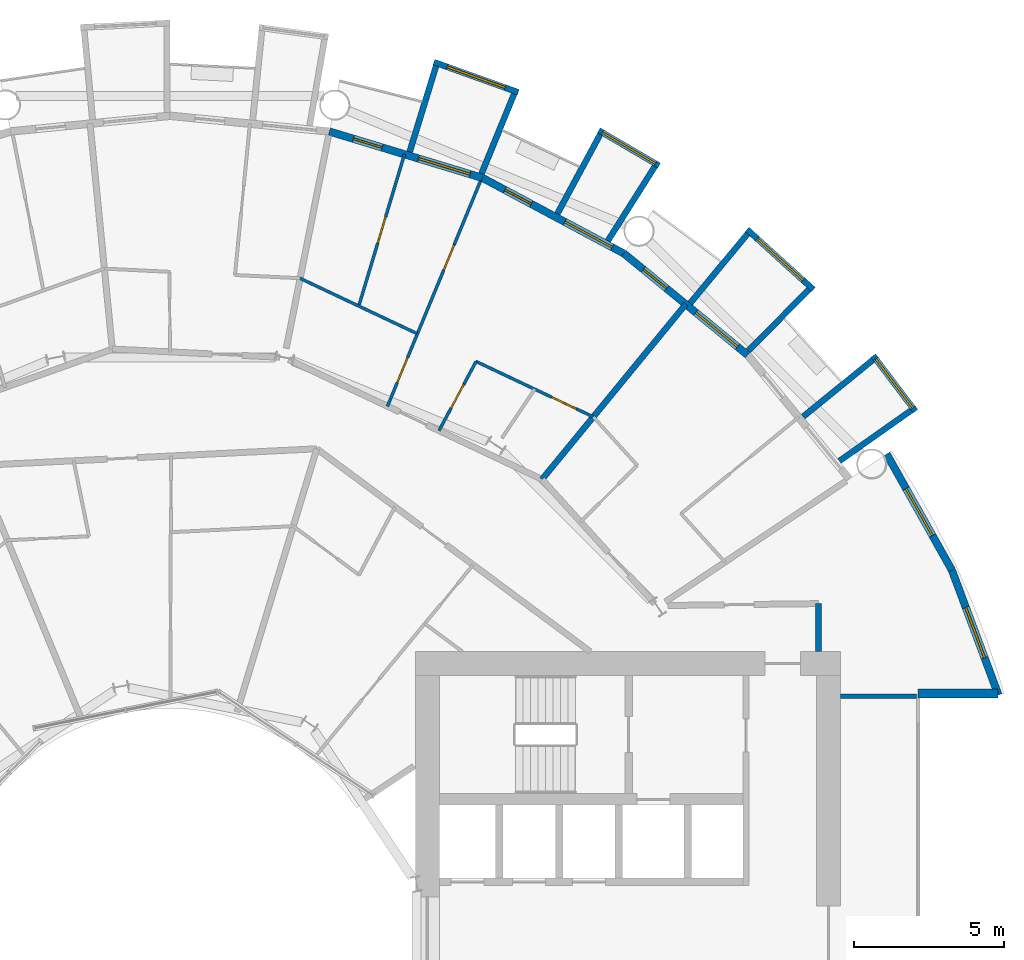
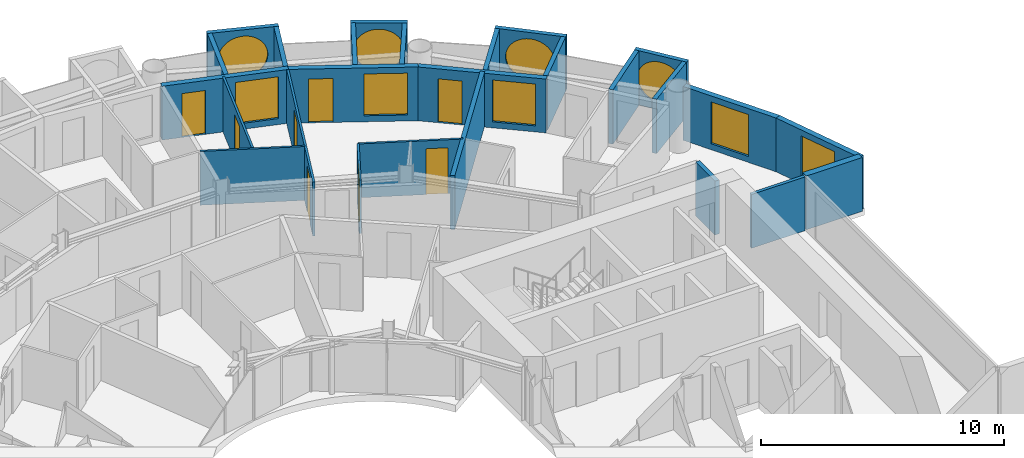
# One storey, part 22 of 26: 26 walls, 9 windows, 8 doors, 17 openings.
"""IFC4 building model written with IfcOpenShell, lengths in metres."""

from ifc_helpers import new_model, si_unit, direction, frame, frame_2d, origin, place, context, subcontext, project, spatial, rectangle, circle, extrude, material, layer, layer_set, type_object, element, fill, save


model = new_model("IFC4")

# Units and contexts
model_context = context("Model", 3, precision=1e-05, world=origin(), true_north=direction((0.0, 1.0)))
body_context = subcontext(model_context, "Body", "Model", "MODEL_VIEW")
ifc_project = project(units=[si_unit("LENGTHUNIT", "METRE"), si_unit("AREAUNIT", "SQUARE_METRE"), si_unit("VOLUMEUNIT", "CUBIC_METRE"), si_unit("PLANEANGLEUNIT", "RADIAN"), si_unit("MASSUNIT", "GRAM", prefix="KILO")], contexts=[model_context])

# Site, building, storey
site_placement = place(None, origin())
site = spatial("IfcSite", under=ifc_project, at=site_placement, CompositionType="ELEMENT")
building_placement = place(site_placement, origin())
building = spatial("IfcBuilding", under=site, at=building_placement, Name="Maasbend Ring Residences", CompositionType="ELEMENT")
storey_placement = place(building_placement, frame((0.0, 0.0, 44.14990234375)))
storey = spatial("IfcBuildingStorey", under=building, at=storey_placement, Name="L12", CompositionType="ELEMENT", Elevation=44.14990234375)

# Wall
ifc_material_1 = material(Name="Concrete C30/37", Category="concrete")
ifc_layer_1 = layer(ifc_material_1, 0.199951171875)
ifc_layer_set_1 = layer_set([ifc_layer_1], Name="Concrete C30/37")
wall_type_1 = type_object("IfcWallType", Name="CORRIDOR WALL 200 CONCRETE", PredefinedType="PARTITIONING", material=ifc_layer_set_1)
wall_1_placement = place(storey_placement, frame((21.675048828125, 9.39990234375, 0.0), z_axis=(0.0, 0.0, 1.0), x_axis=(0.0, 1.0, 0.0)))
element("IfcWall", 1, at=wall_1_placement, inside=storey, type_object=wall_type_1, Name="U-L12-w008", PredefinedType="PARTITIONING", context=body_context, shape_type="SweptSolid", body=[
    extrude(rectangle(XDim=1.60009765625, YDim=0.199951171875, at=frame_2d((0.800048828125, 0.0))), origin(), (0.0, 0.0, 1.0), 2.7001953125),
])

# Wall, opening, window
ifc_material_2 = material(Name="Pale anodised aluminium panel", Category="aluminium")
ifc_layer_2 = layer(ifc_material_2, 0.199951171875)
ifc_layer_set_2 = layer_set([ifc_layer_2], Name="EW-BOX")
wall_type_2 = type_object("IfcWallType", Name="EW-BOX", PredefinedType="SOLIDWALL", material=ifc_layer_set_2)
wall_2_placement = place(storey_placement, frame((24.908935546875, 17.427001953125, -0.02978515625), z_axis=(0.0, 0.0, 1.0), x_axis=(-0.60418752353, 0.796842165306, 0.0)))
wall_2 = element("IfcWall", 2, at=wall_2_placement, inside=storey, type_object=wall_type_2, Name="Box front N01", PredefinedType="SOLIDWALL", context=body_context, shape_type="SweptSolid", body=[
    extrude(rectangle(XDim=2.3369140625, YDim=0.199951171875, at=frame_2d((1.16845703125, 0.0))), origin(), (0.0, 0.0, 1.0), 2.72998046875),
])
opening_1_placement = place(wall_2_placement, frame((0.128173828125, 0.0, 0.330078125)))
opening_1 = element("IfcOpeningElement", 3, at=opening_1_placement, cuts=wall_2, Name="Opening W-RD", PredefinedType="OPENING", context=body_context, shape_type="SweptSolid", body=[
    extrude(circle(Radius=1.0400390625, at=frame_2d((1.0400390625, 1.0400390625))), frame((0.0, 0.10986328125, 0.0), z_axis=(0.0, -1.0, 0.0), x_axis=(1.0, 0.0, 0.0)), (0.0, 0.0, 1.0), 0.219970703125),
])
ifc_material_3 = material(Name="Aluminium and clear glass", Category="aluminium")
window_type_1 = type_object("IfcWindowType", Name="W-RD", PartitioningType="SINGLE_PANEL", PredefinedType="WINDOW", material=ifc_material_3)
window_1_placement = place(opening_1_placement, origin())
window_1 = element("IfcWindow", 4, at=window_1_placement, inside=storey, type_object=window_type_1, Name="Round window N01", OverallHeight=2.080078125, OverallWidth=2.080078125, PartitioningType="SINGLE_PANEL", PredefinedType="WINDOW", context=body_context, shape_type="SweptSolid", body=[
    extrude(circle(Radius=1.0400390625, at=frame_2d((1.0400390625, 1.0400390625))), frame((0.0, 0.030029296875, 0.0), z_axis=(0.0, -1.0, 0.0), x_axis=(1.0, 0.0, 0.0)), (0.0, 0.0, 1.0), 0.06005859375),
])
fill(opening_1, window_1)

# Walls
wall_3_placement = place(storey_placement, frame((22.3701171875, 15.764892578125, -0.02978515625), z_axis=(0.0, 0.0, 1.0), x_axis=(0.817256123454, 0.576274612209, 0.0)))
element("IfcWall", 5, at=wall_3_placement, inside=storey, type_object=wall_type_2, Name="Box side wall N01 left", PredefinedType="SOLIDWALL", context=body_context, shape_type="SweptSolid", body=[
    extrude(rectangle(XDim=2.932861328125, YDim=0.199951171875, at=frame_2d((1.46630859375, 0.0))), origin(), (0.0, 0.0, 1.0), 2.72998046875),
])
wall_4_placement = place(storey_placement, frame((21.155029296875, 17.24609375, -0.02978515625), z_axis=(0.0, 0.0, 1.0), x_axis=(0.775179004516, 0.631741648902, 0.0)))
element("IfcWall", 6, at=wall_4_placement, inside=storey, type_object=wall_type_2, Name="Box side wall N01 right", PredefinedType="SOLIDWALL", context=body_context, shape_type="SweptSolid", body=[
    extrude(rectangle(XDim=3.005859375, YDim=0.199951171875, at=frame_2d((1.5029296875, 0.0))), origin(), (0.0, 0.0, 1.0), 2.72998046875),
])

# Wall, opening, window
wall_5_placement = place(storey_placement, frame((21.5, 21.492919921875, -0.02978515625), z_axis=(0.0, 0.0, 1.0), x_axis=(-0.740998365753, 0.671506829416, 0.0)))
wall_5 = element("IfcWall", 7, at=wall_5_placement, inside=storey, type_object=wall_type_2, Name="Box front N03", PredefinedType="SOLIDWALL", context=body_context, shape_type="SweptSolid", body=[
    extrude(rectangle(XDim=2.9931640625, YDim=0.199951171875, at=frame_2d((1.49658203125, 0.0))), origin(), (0.0, 0.0, 1.0), 2.72998046875),
])
opening_2_placement = place(wall_5_placement, frame((0.45654296875, 0.0, 0.330078125)))
opening_2 = element("IfcOpeningElement", 8, at=opening_2_placement, cuts=wall_5, Name="Opening W-RD", PredefinedType="OPENING", context=body_context, shape_type="SweptSolid", body=[
    extrude(circle(Radius=1.0400390625, at=frame_2d((1.0400390625, 1.0400390625))), frame((0.0, 0.10986328125, 0.0), z_axis=(0.0, -1.0, 0.0), x_axis=(1.0, 0.0, 0.0)), (0.0, 0.0, 1.0), 0.219970703125),
])
window_2_placement = place(opening_2_placement, origin())
window_2 = element("IfcWindow", 9, at=window_2_placement, inside=storey, type_object=window_type_1, Name="Round window N03", OverallHeight=2.080078125, OverallWidth=2.080078125, PartitioningType="SINGLE_PANEL", PredefinedType="WINDOW", context=body_context, shape_type="SweptSolid", body=[
    extrude(circle(Radius=1.0400390625, at=frame_2d((1.0400390625, 1.0400390625))), frame((0.0, 0.030029296875, 0.0), z_axis=(0.0, -1.0, 0.0), x_axis=(1.0, 0.0, 0.0)), (0.0, 0.0, 1.0), 0.06005859375),
])
fill(opening_2, window_2)

# Walls
wall_6_placement = place(storey_placement, frame((19.322998046875, 19.449951171875, -0.02978515625), z_axis=(0.0, 0.0, 1.0), x_axis=(0.704476739375, 0.709727076896, 0.0)))
element("IfcWall", 10, at=wall_6_placement, inside=storey, type_object=wall_type_2, Name="Box side wall N03 left", PredefinedType="SOLIDWALL", context=body_context, shape_type="SweptSolid", body=[
    extrude(rectangle(XDim=2.883056640625, YDim=0.199951171875, at=frame_2d((1.44140625, 0.0))), origin(), (0.0, 0.0, 1.0), 2.72998046875),
])
wall_7_placement = place(storey_placement, frame((17.384033203125, 21.041015625, -0.02978515625), z_axis=(0.0, 0.0, 1.0), x_axis=(0.63709551667, 0.770784861449, 0.0)))
element("IfcWall", 11, at=wall_7_placement, inside=storey, type_object=wall_type_2, Name="Box side wall N03 right", PredefinedType="SOLIDWALL", context=body_context, shape_type="SweptSolid", body=[
    extrude(rectangle(XDim=3.005859375, YDim=0.199951171875, at=frame_2d((1.5029296875, 0.0))), origin(), (0.0, 0.0, 1.0), 2.72998046875),
])

# Wall, opening, window
wall_8_placement = place(storey_placement, frame((16.343994140625, 25.633056640625, -0.02978515625), z_axis=(0.0, 0.0, 1.0), x_axis=(-0.863346521872, 0.504611517081, 0.0)))
wall_8 = element("IfcWall", 12, at=wall_8_placement, inside=storey, type_object=wall_type_2, Name="Box front N05", PredefinedType="SOLIDWALL", context=body_context, shape_type="SweptSolid", body=[
    extrude(rectangle(XDim=2.33642578125, YDim=0.199951171875, at=frame_2d((1.168212890625, 0.0))), origin(), (0.0, 0.0, 1.0), 2.72998046875),
])
opening_3_placement = place(wall_8_placement, frame((0.128173828125, 0.0, 0.330078125)))
opening_3 = element("IfcOpeningElement", 13, at=opening_3_placement, cuts=wall_8, Name="Opening W-RD", PredefinedType="OPENING", context=body_context, shape_type="SweptSolid", body=[
    extrude(circle(Radius=1.0400390625, at=frame_2d((1.0400390625, 1.0400390625))), frame((0.0, 0.10986328125, 0.0), z_axis=(0.0, -1.0, 0.0), x_axis=(1.0, 0.0, 0.0)), (0.0, 0.0, 1.0), 0.219970703125),
])
window_3_placement = place(opening_3_placement, origin())
window_3 = element("IfcWindow", 14, at=window_3_placement, inside=storey, type_object=window_type_1, Name="Round window N05", OverallHeight=2.080078125, OverallWidth=2.080078125, PartitioningType="SINGLE_PANEL", PredefinedType="WINDOW", context=body_context, shape_type="SweptSolid", body=[
    extrude(circle(Radius=1.0400390625, at=frame_2d((1.0400390625, 1.0400390625))), frame((0.0, 0.030029296875, 0.0), z_axis=(0.0, -1.0, 0.0), x_axis=(1.0, 0.0, 0.0)), (0.0, 0.0, 1.0), 0.06005859375),
])
fill(opening_3, window_3)

# Walls
wall_9_placement = place(storey_placement, frame((14.635009765625, 23.1259765625, -0.02978515625), z_axis=(0.0, 0.0, 1.0), x_axis=(0.534437802731, 0.845207805816, 0.0)))
element("IfcWall", 15, at=wall_9_placement, inside=storey, type_object=wall_type_2, Name="Box side wall N05 left", PredefinedType="SOLIDWALL", context=body_context, shape_type="SweptSolid", body=[
    extrude(rectangle(XDim=2.931884765625, YDim=0.199951171875, at=frame_2d((1.4658203125, 0.0))), origin(), (0.0, 0.0, 1.0), 2.72998046875),
])
wall_10_placement = place(storey_placement, frame((12.945068359375, 24.029052734375, -0.02978515625), z_axis=(0.0, 0.0, 1.0), x_axis=(0.474424310775, 0.88029629861, 0.0)))
element("IfcWall", 16, at=wall_10_placement, inside=storey, type_object=wall_type_2, Name="Box side wall N05 right", PredefinedType="SOLIDWALL", context=body_context, shape_type="SweptSolid", body=[
    extrude(rectangle(XDim=3.005859375, YDim=0.199951171875, at=frame_2d((1.5029296875, 0.0))), origin(), (0.0, 0.0, 1.0), 2.72998046875),
])

# Wall, opening, window
wall_11_placement = place(storey_placement, frame((11.637939453125, 28.083984375, -0.02978515625), z_axis=(0.0, 0.0, 1.0), x_axis=(-0.941461077774, 0.337121697664, 0.0)))
wall_11 = element("IfcWall", 17, at=wall_11_placement, inside=storey, type_object=wall_type_2, Name="Box front N07", PredefinedType="SOLIDWALL", context=body_context, shape_type="SweptSolid", body=[
    extrude(rectangle(XDim=2.9931640625, YDim=0.199951171875, at=frame_2d((1.49658203125, 0.0))), origin(), (0.0, 0.0, 1.0), 2.72998046875),
])
opening_4_placement = place(wall_11_placement, frame((0.45654296875, 0.0, 0.330078125)))
opening_4 = element("IfcOpeningElement", 18, at=opening_4_placement, cuts=wall_11, Name="Opening W-RD", PredefinedType="OPENING", context=body_context, shape_type="SweptSolid", body=[
    extrude(circle(Radius=1.0400390625, at=frame_2d((1.0400390625, 1.0400390625))), frame((0.0, 0.10986328125, 0.0), z_axis=(0.0, -1.0, 0.0), x_axis=(1.0, 0.0, 0.0)), (0.0, 0.0, 1.0), 0.219970703125),
])
window_4_placement = place(opening_4_placement, origin())
window_4 = element("IfcWindow", 19, at=window_4_placement, inside=storey, type_object=window_type_1, Name="Round window N07", OverallHeight=2.080078125, OverallWidth=2.080078125, PartitioningType="SINGLE_PANEL", PredefinedType="WINDOW", context=body_context, shape_type="SweptSolid", body=[
    extrude(circle(Radius=1.0400390625, at=frame_2d((1.0400390625, 1.0400390625))), frame((0.0, 0.030029296875, 0.0), z_axis=(0.0, -1.0, 0.0), x_axis=(1.0, 0.0, 0.0)), (0.0, 0.0, 1.0), 0.06005859375),
])
fill(opening_4, window_4)

# Walls
wall_12_placement = place(storey_placement, frame((10.408935546875, 25.364013671875, -0.02978515625), z_axis=(0.0, 0.0, 1.0), x_axis=(0.379509886562, 0.925187681501, 0.0)))
element("IfcWall", 20, at=wall_12_placement, inside=storey, type_object=wall_type_2, Name="Box side wall N07 left", PredefinedType="SOLIDWALL", context=body_context, shape_type="SweptSolid", body=[
    extrude(rectangle(XDim=2.882568359375, YDim=0.199951171875, at=frame_2d((1.44140625, 0.0))), origin(), (0.0, 0.0, 1.0), 2.72998046875),
])
wall_13_placement = place(storey_placement, frame((8.009033203125, 26.092041015625, -0.02978515625), z_axis=(0.0, 0.0, 1.0), x_axis=(0.293406695073, 0.955987715029, 0.0)))
element("IfcWall", 21, at=wall_13_placement, inside=storey, type_object=wall_type_2, Name="Box side wall N07 right", PredefinedType="SOLIDWALL", context=body_context, shape_type="SweptSolid", body=[
    extrude(rectangle(XDim=3.00634765625, YDim=0.199951171875, at=frame_2d((1.503173828125, 0.0))), origin(), (0.0, 0.0, 1.0), 2.72998046875),
])

# Wall, openings, door, window
ifc_material_4 = material(Name="Aluminium clad insulated panel", Category="aluminium")
ifc_layer_3 = layer(ifc_material_4, 0.25)
ifc_layer_set_3 = layer_set([ifc_layer_3], Name="EW-GL")
wall_type_3 = type_object("IfcWallType", Name="EW-GL", PredefinedType="SOLIDWALL", material=ifc_layer_set_3)
wall_14_placement = place(storey_placement, frame((19.303955078125, 19.303955078125, 0.0), z_axis=(0.0, 0.0, 1.0), x_axis=(-0.773019449054, 0.634382322723, 0.0)))
wall_14 = element("IfcWall", 22, at=wall_14_placement, inside=storey, type_object=wall_type_3, Name="External wall N02", PredefinedType="SOLIDWALL", context=body_context, shape_type="SweptSolid", body=[
    extrude(rectangle(XDim=5.351806640625, YDim=0.25, at=frame_2d((2.67578125, 0.0))), origin(), (0.0, 0.0, 1.0), 2.7001953125),
])
opening_5_placement = place(wall_14_placement, frame((0.441162109375, 0.0, 0.300048828125)))
opening_5 = element("IfcOpeningElement", 23, at=opening_5_placement, cuts=wall_14, Name="Opening W-BX", PredefinedType="OPENING", context=body_context, shape_type="SweptSolid", body=[
    extrude(rectangle(XDim=1.800048828125, YDim=2.10009765625, at=frame_2d((0.89990234375, 1.050048828125))), frame((0.0, 0.135009765625, 0.0), z_axis=(0.0, -1.0, 0.0), x_axis=(1.0, 0.0, 0.0)), (0.0, 0.0, 1.0), 0.27001953125),
])
opening_6_placement = place(wall_14_placement, frame((3.510498046875, 0.0, 0.0)))
opening_6 = element("IfcOpeningElement", 24, at=opening_6_placement, cuts=wall_14, Name="Opening D-LG", PredefinedType="OPENING", context=body_context, shape_type="SweptSolid", body=[
    extrude(rectangle(XDim=1.0, YDim=2.199951171875, at=frame_2d((0.5, 1.10009765625))), frame((0.0, 0.135009765625, 0.0), z_axis=(0.0, -1.0, 0.0), x_axis=(1.0, 0.0, 0.0)), (0.0, 0.0, 1.0), 0.27001953125),
])
ifc_material_5 = material(Name="Aluminium and clear glass", Category="aluminium")
door_type_1 = type_object("IfcDoorType", Name="D-LG", OperationType="SINGLE_SWING_LEFT", PredefinedType="DOOR", material=ifc_material_5)
door_1_placement = place(opening_6_placement, origin())
door_1 = element("IfcDoor", 25, at=door_1_placement, inside=storey, type_object=door_type_1, Name="Loggia door N04", OperationType="SINGLE_SWING_LEFT", OverallHeight=2.199951171875, OverallWidth=1.0, PredefinedType="DOOR", context=body_context, shape_type="SweptSolid", body=[
    extrude(rectangle(XDim=1.0, YDim=2.199951171875, at=frame_2d((0.5, 1.10009765625))), frame((0.0, 0.02490234375, 0.0), z_axis=(0.0, -1.0, 0.0), x_axis=(1.0, 0.0, 0.0)), (0.0, 0.0, 1.0), 0.050048828125),
])
fill(opening_6, door_1)
ifc_material_6 = material(Name="Aluminium and clear glass", Category="aluminium")
window_type_2 = type_object("IfcWindowType", Name="W-BX", PartitioningType="DOUBLE_PANEL_VERTICAL", PredefinedType="WINDOW", material=ifc_material_6)
window_5_placement = place(opening_5_placement, origin())
window_5 = element("IfcWindow", 26, at=window_5_placement, inside=storey, type_object=window_type_2, Name="Window N03 room to box", OverallHeight=2.10009765625, OverallWidth=1.800048828125, PartitioningType="SINGLE_PANEL", PredefinedType="WINDOW", context=body_context, shape_type="SweptSolid", body=[
    extrude(rectangle(XDim=1.800048828125, YDim=2.10009765625, at=frame_2d((0.89990234375, 1.050048828125))), frame((0.0, 0.030029296875, 0.0), z_axis=(0.0, -1.0, 0.0), x_axis=(1.0, 0.0, 0.0)), (0.0, 0.0, 1.0), 0.06005859375),
])
fill(opening_5, window_5)

wall_15_placement = place(storey_placement, frame((15.1669921875, 22.698974609375, 0.0), z_axis=(0.0, 0.0, 1.0), x_axis=(-0.881915646801, 0.471407246368, 0.0)))
wall_15 = element("IfcWall", 27, at=wall_15_placement, inside=storey, type_object=wall_type_3, Name="External wall N03", PredefinedType="SOLIDWALL", context=body_context, shape_type="SweptSolid", body=[
    extrude(rectangle(XDim=5.35205078125, YDim=0.25, at=frame_2d((2.676025390625, 0.0))), origin(), (0.0, 0.0, 1.0), 2.7001953125),
])
opening_7_placement = place(wall_15_placement, frame((0.441162109375, 0.0, 0.300048828125)))
opening_7 = element("IfcOpeningElement", 28, at=opening_7_placement, cuts=wall_15, Name="Opening W-BX", PredefinedType="OPENING", context=body_context, shape_type="SweptSolid", body=[
    extrude(rectangle(XDim=1.800048828125, YDim=2.10009765625, at=frame_2d((0.89990234375, 1.050048828125))), frame((0.0, 0.135009765625, 0.0), z_axis=(0.0, -1.0, 0.0), x_axis=(1.0, 0.0, 0.0)), (0.0, 0.0, 1.0), 0.27001953125),
])
opening_8_placement = place(wall_15_placement, frame((3.510498046875, 0.0, 0.0)))
opening_8 = element("IfcOpeningElement", 29, at=opening_8_placement, cuts=wall_15, Name="Opening D-LG", PredefinedType="OPENING", context=body_context, shape_type="SweptSolid", body=[
    extrude(rectangle(XDim=1.0, YDim=2.199951171875, at=frame_2d((0.5, 1.10009765625))), frame((0.0, 0.135009765625, 0.0), z_axis=(0.0, -1.0, 0.0), x_axis=(1.0, 0.0, 0.0)), (0.0, 0.0, 1.0), 0.27001953125),
])
door_2_placement = place(opening_8_placement, origin())
door_2 = element("IfcDoor", 30, at=door_2_placement, inside=storey, type_object=door_type_1, Name="Loggia door N06", OperationType="SINGLE_SWING_LEFT", OverallHeight=2.199951171875, OverallWidth=1.0, PredefinedType="DOOR", context=body_context, shape_type="SweptSolid", body=[
    extrude(rectangle(XDim=1.0, YDim=2.199951171875, at=frame_2d((0.5, 1.10009765625))), frame((0.0, 0.02490234375, 0.0), z_axis=(0.0, -1.0, 0.0), x_axis=(1.0, 0.0, 0.0)), (0.0, 0.0, 1.0), 0.050048828125),
])
fill(opening_8, door_2)
window_6_placement = place(opening_7_placement, origin())
window_6 = element("IfcWindow", 31, at=window_6_placement, inside=storey, type_object=window_type_2, Name="Window N05 room to box", OverallHeight=2.10009765625, OverallWidth=1.800048828125, PartitioningType="SINGLE_PANEL", PredefinedType="WINDOW", context=body_context, shape_type="SweptSolid", body=[
    extrude(rectangle(XDim=1.800048828125, YDim=2.10009765625, at=frame_2d((0.89990234375, 1.050048828125))), frame((0.0, 0.030029296875, 0.0), z_axis=(0.0, -1.0, 0.0), x_axis=(1.0, 0.0, 0.0)), (0.0, 0.0, 1.0), 0.06005859375),
])
fill(opening_7, window_6)

wall_16_placement = place(storey_placement, frame((10.447021484375, 25.221923828125, 0.0), z_axis=(0.0, 0.0, 1.0), x_axis=(-0.956965678721, 0.290201119486, 0.0)))
wall_16 = element("IfcWall", 32, at=wall_16_placement, inside=storey, type_object=wall_type_3, Name="External wall N04", PredefinedType="SOLIDWALL", context=body_context, shape_type="SweptSolid", body=[
    extrude(rectangle(XDim=5.351318359375, YDim=0.25, at=frame_2d((2.67578125, 0.0))), origin(), (0.0, 0.0, 1.0), 2.7001953125),
])
opening_9_placement = place(wall_16_placement, frame((0.441162109375, 0.0, 0.300048828125)))
opening_9 = element("IfcOpeningElement", 33, at=opening_9_placement, cuts=wall_16, Name="Opening W-BX", PredefinedType="OPENING", context=body_context, shape_type="SweptSolid", body=[
    extrude(rectangle(XDim=1.800048828125, YDim=2.10009765625, at=frame_2d((0.89990234375, 1.050048828125))), frame((0.0, 0.135009765625, 0.0), z_axis=(0.0, -1.0, 0.0), x_axis=(1.0, 0.0, 0.0)), (0.0, 0.0, 1.0), 0.27001953125),
])
opening_10_placement = place(wall_16_placement, frame((3.510498046875, 0.0, 0.0)))
opening_10 = element("IfcOpeningElement", 34, at=opening_10_placement, cuts=wall_16, Name="Opening D-LG", PredefinedType="OPENING", context=body_context, shape_type="SweptSolid", body=[
    extrude(rectangle(XDim=1.0, YDim=2.199951171875, at=frame_2d((0.5, 1.10009765625))), frame((0.0, 0.135009765625, 0.0), z_axis=(0.0, -1.0, 0.0), x_axis=(1.0, 0.0, 0.0)), (0.0, 0.0, 1.0), 0.27001953125),
])
door_3_placement = place(opening_10_placement, origin())
door_3 = element("IfcDoor", 35, at=door_3_placement, inside=storey, type_object=door_type_1, Name="Loggia door N08", OperationType="SINGLE_SWING_LEFT", OverallHeight=2.199951171875, OverallWidth=1.0, PredefinedType="DOOR", context=body_context, shape_type="SweptSolid", body=[
    extrude(rectangle(XDim=1.0, YDim=2.199951171875, at=frame_2d((0.5, 1.10009765625))), frame((0.0, 0.02490234375, 0.0), z_axis=(0.0, -1.0, 0.0), x_axis=(1.0, 0.0, 0.0)), (0.0, 0.0, 1.0), 0.050048828125),
])
fill(opening_10, door_3)
window_7_placement = place(opening_9_placement, origin())
window_7 = element("IfcWindow", 36, at=window_7_placement, inside=storey, type_object=window_type_2, Name="Window N07 room to box", OverallHeight=2.10009765625, OverallWidth=1.800048828125, PartitioningType="SINGLE_PANEL", PredefinedType="WINDOW", context=body_context, shape_type="SweptSolid", body=[
    extrude(rectangle(XDim=1.800048828125, YDim=2.10009765625, at=frame_2d((0.89990234375, 1.050048828125))), frame((0.0, 0.030029296875, 0.0), z_axis=(0.0, -1.0, 0.0), x_axis=(1.0, 0.0, 0.0)), (0.0, 0.0, 1.0), 0.06005859375),
])
fill(opening_9, window_7)

# Wall, opening, window
ifc_material_7 = material(Name="Aluminium clad insulated panel", Category="aluminium")
ifc_layer_4 = layer(ifc_material_7, 0.25)
ifc_layer_set_4 = layer_set([ifc_layer_4], Name="EW-HORN")
wall_type_4 = type_object("IfcWallType", Name="EW-HORN", PredefinedType="SOLIDWALL", material=ifc_layer_set_4)
wall_17_placement = place(storey_placement, frame((27.681884765625, 7.945068359375, 0.0), z_axis=(0.0, 0.0, 1.0), x_axis=(-0.349247811493, 0.937030397675, 0.0)))
wall_17 = element("IfcWall", 37, at=wall_17_placement, inside=storey, type_object=wall_type_4, Name="Horn wall 1.1", PredefinedType="SOLIDWALL", context=body_context, shape_type="SweptSolid", body=[
    extrude(rectangle(XDim=4.4521484375, YDim=0.25, at=frame_2d((2.22607421875, 0.0))), origin(), (0.0, 0.0, 1.0), 2.7001953125),
])
opening_11_placement = place(wall_17_placement, frame((1.32666015625, 0.0, 0.300048828125)))
opening_11 = element("IfcOpeningElement", 38, at=opening_11_placement, cuts=wall_17, Name="Opening W-BX", PredefinedType="OPENING", context=body_context, shape_type="SweptSolid", body=[
    extrude(rectangle(XDim=1.800048828125, YDim=2.10009765625, at=frame_2d((0.89990234375, 1.050048828125))), frame((0.0, 0.135009765625, 0.0), z_axis=(0.0, -1.0, 0.0), x_axis=(1.0, 0.0, 0.0)), (0.0, 0.0, 1.0), 0.27001953125),
])
window_8_placement = place(opening_11_placement, origin())
window_8 = element("IfcWindow", 39, at=window_8_placement, inside=storey, type_object=window_type_2, Name="Horn window 1.1", OverallHeight=2.10009765625, OverallWidth=1.800048828125, PartitioningType="SINGLE_PANEL", PredefinedType="WINDOW", context=body_context, shape_type="SweptSolid", body=[
    extrude(rectangle(XDim=1.800048828125, YDim=2.10009765625, at=frame_2d((0.89990234375, 1.050048828125))), frame((0.0, 0.030029296875, 0.0), z_axis=(0.0, -1.0, 0.0), x_axis=(1.0, 0.0, 0.0)), (0.0, 0.0, 1.0), 0.06005859375),
])
fill(opening_11, window_8)

wall_18_placement = place(storey_placement, frame((26.126953125, 12.116943359375, 0.0), z_axis=(0.0, 0.0, 1.0), x_axis=(-0.489696356642, 0.871893042919, 0.0)))
wall_18 = element("IfcWall", 40, at=wall_18_placement, inside=storey, type_object=wall_type_4, Name="Horn wall 1.2", PredefinedType="SOLIDWALL", context=body_context, shape_type="SweptSolid", body=[
    extrude(rectangle(XDim=4.45361328125, YDim=0.25, at=frame_2d((2.226806640625, 0.0))), origin(), (0.0, 0.0, 1.0), 2.7001953125),
])
opening_12_placement = place(wall_18_placement, frame((1.32666015625, 0.0, 0.300048828125)))
opening_12 = element("IfcOpeningElement", 41, at=opening_12_placement, cuts=wall_18, Name="Opening W-BX", PredefinedType="OPENING", context=body_context, shape_type="SweptSolid", body=[
    extrude(rectangle(XDim=1.800048828125, YDim=2.10009765625, at=frame_2d((0.89990234375, 1.050048828125))), frame((0.0, 0.135009765625, 0.0), z_axis=(0.0, -1.0, 0.0), x_axis=(1.0, 0.0, 0.0)), (0.0, 0.0, 1.0), 0.27001953125),
])
window_9_placement = place(opening_12_placement, origin())
window_9 = element("IfcWindow", 42, at=window_9_placement, inside=storey, type_object=window_type_2, Name="Horn window 1.2", OverallHeight=2.10009765625, OverallWidth=1.800048828125, PartitioningType="SINGLE_PANEL", PredefinedType="WINDOW", context=body_context, shape_type="SweptSolid", body=[
    extrude(rectangle(XDim=1.800048828125, YDim=2.10009765625, at=frame_2d((0.89990234375, 1.050048828125))), frame((0.0, 0.030029296875, 0.0), z_axis=(0.0, -1.0, 0.0), x_axis=(1.0, 0.0, 0.0)), (0.0, 0.0, 1.0), 0.06005859375),
])
fill(opening_12, window_9)

# Wall
ifc_material_8 = material(Name="Aluminium clad insulated panel", Category="aluminium")
ifc_layer_5 = layer(ifc_material_8, 0.300048828125)
ifc_layer_set_5 = layer_set([ifc_layer_5], Name="EW-RET")
wall_type_5 = type_object("IfcWallType", Name="EW-RET", PredefinedType="SOLIDWALL", material=ifc_layer_set_5)
wall_19_placement = place(storey_placement, frame((25.0, 8.0, 0.0), z_axis=(0.0, 0.0, 1.0), x_axis=(1.0, 0.0, 0.0)))
element("IfcWall", 43, at=wall_19_placement, inside=storey, type_object=wall_type_5, Name="Notch return wall east north", PredefinedType="SOLIDWALL", context=body_context, shape_type="SweptSolid", body=[
    extrude(rectangle(XDim=2.6669921875, YDim=0.300048828125, at=frame_2d((1.33349609375, 0.0))), origin(), (0.0, 0.0, 1.0), 2.7001953125),
])

# Wall, opening, door
ifc_material_9 = material(Name="Gypsum board on steel studs", Category="steel")
ifc_layer_6 = layer(ifc_material_9, 0.10009765625)
ifc_layer_set_6 = layer_set([ifc_layer_6], Name="PARTITION 100 GYPSUM")
wall_type_6 = type_object("IfcWallType", Name="PARTITION 100 GYPSUM", PredefinedType="PARTITIONING", material=ifc_layer_set_6)
wall_20_placement = place(storey_placement, frame((6.31005859375, 20.945068359375, 0.0), z_axis=(0.0, 0.0, 1.0), x_axis=(0.288484435279, 0.957484585047, 0.0)))
wall_20 = element("IfcWall", 44, at=wall_20_placement, inside=storey, type_object=wall_type_6, Name="U-L12-w074", PredefinedType="PARTITIONING", context=body_context, shape_type="SweptSolid", body=[
    extrude(rectangle(XDim=5.30029296875, YDim=0.10009765625, at=frame_2d((2.650146484375, 0.0))), origin(), (0.0, 0.0, 1.0), 2.7001953125),
])
opening_13_placement = place(wall_20_placement, frame((2.199951171875, 0.0, 0.0)))
opening_13 = element("IfcOpeningElement", 45, at=opening_13_placement, cuts=wall_20, Name="Opening D-1209", PredefinedType="OPENING", context=body_context, shape_type="SweptSolid", body=[
    extrude(rectangle(XDim=0.89990234375, YDim=2.300048828125, at=frame_2d((0.449951171875, 1.14990234375))), frame((0.0, 0.06005859375, 0.0), z_axis=(0.0, -1.0, 0.0), x_axis=(1.0, 0.0, 0.0)), (0.0, 0.0, 1.0), 0.1201171875),
])
ifc_material_10 = material(Name="Timber, painted", Category="wood")
door_type_2 = type_object("IfcDoorType", Name="INTERNAL DOOR 900 X 2300", OperationType="NOTDEFINED", PredefinedType="DOOR", material=ifc_material_10)
door_4_placement = place(opening_13_placement, origin())
door_4 = element("IfcDoor", 46, at=door_4_placement, inside=storey, type_object=door_type_2, Name="D-1209", OperationType="SINGLE_SWING_RIGHT", OverallHeight=2.300048828125, OverallWidth=0.89990234375, PredefinedType="DOOR", context=body_context, shape_type="SweptSolid", body=[
    extrude(rectangle(XDim=0.89990234375, YDim=2.300048828125, at=frame_2d((0.449951171875, 1.14990234375))), frame((0.0, 0.02490234375, 0.0), z_axis=(0.0, -1.0, 0.0), x_axis=(1.0, 0.0, 0.0)), (0.0, 0.0, 1.0), 0.050048828125),
])
fill(opening_13, door_4)

# Wall, openings, doors
wall_21_placement = place(storey_placement, frame((7.26806640625, 17.593994140625, 0.0), z_axis=(0.0, 0.0, 1.0), x_axis=(0.381660983618, 0.924302382115, 0.0)))
wall_21 = element("IfcWall", 47, at=wall_21_placement, inside=storey, type_object=wall_type_6, Name="U-L12-w078", PredefinedType="PARTITIONING", context=body_context, shape_type="SweptSolid", body=[
    extrude(rectangle(XDim=8.137939453125, YDim=0.10009765625, at=frame_2d((4.06884765625, 0.0))), origin(), (0.0, 0.0, 1.0), 2.7001953125),
])
opening_14_placement = place(wall_21_placement, frame((0.860107421875, 0.0, 0.0)))
opening_14 = element("IfcOpeningElement", 48, at=opening_14_placement, cuts=wall_21, Name="Opening D-1207", PredefinedType="OPENING", context=body_context, shape_type="SweptSolid", body=[
    extrude(rectangle(XDim=0.89990234375, YDim=2.300048828125, at=frame_2d((0.449951171875, 1.14990234375))), frame((0.0, 0.06005859375, 0.0), z_axis=(0.0, -1.0, 0.0), x_axis=(1.0, 0.0, 0.0)), (0.0, 0.0, 1.0), 0.1201171875),
])
opening_15_placement = place(wall_21_placement, frame((4.929931640625, 0.0, 0.0)))
opening_15 = element("IfcOpeningElement", 49, at=opening_15_placement, cuts=wall_21, Name="Opening D-1208", PredefinedType="OPENING", context=body_context, shape_type="SweptSolid", body=[
    extrude(rectangle(XDim=0.89990234375, YDim=2.300048828125, at=frame_2d((0.449951171875, 1.14990234375))), frame((0.0, 0.06005859375, 0.0), z_axis=(0.0, -1.0, 0.0), x_axis=(1.0, 0.0, 0.0)), (0.0, 0.0, 1.0), 0.1201171875),
])
door_5_placement = place(opening_14_placement, origin())
door_5 = element("IfcDoor", 50, at=door_5_placement, inside=storey, type_object=door_type_2, Name="D-1207", OperationType="SINGLE_SWING_LEFT", OverallHeight=2.300048828125, OverallWidth=0.89990234375, PredefinedType="DOOR", context=body_context, shape_type="SweptSolid", body=[
    extrude(rectangle(XDim=0.89990234375, YDim=2.300048828125, at=frame_2d((0.449951171875, 1.14990234375))), frame((0.0, 0.02490234375, 0.0), z_axis=(0.0, -1.0, 0.0), x_axis=(1.0, 0.0, 0.0)), (0.0, 0.0, 1.0), 0.050048828125),
])
fill(opening_14, door_5)
door_6_placement = place(opening_15_placement, origin())
door_6 = element("IfcDoor", 51, at=door_6_placement, inside=storey, type_object=door_type_2, Name="D-1208", OperationType="SINGLE_SWING_RIGHT", OverallHeight=2.300048828125, OverallWidth=0.89990234375, PredefinedType="DOOR", context=body_context, shape_type="SweptSolid", body=[
    extrude(rectangle(XDim=0.89990234375, YDim=2.300048828125, at=frame_2d((0.449951171875, 1.14990234375))), frame((0.0, 0.02490234375, 0.0), z_axis=(0.0, -1.0, 0.0), x_axis=(1.0, 0.0, 0.0)), (0.0, 0.0, 1.0), 0.050048828125),
])
fill(opening_15, door_6)

# Wall, opening, door
wall_22_placement = place(storey_placement, frame((8.989990234375, 16.780029296875, 0.0), z_axis=(0.0, 0.0, 1.0), x_axis=(0.472216244249, 0.881482738723, 0.0)))
wall_22 = element("IfcWall", 52, at=wall_22_placement, inside=storey, type_object=wall_type_6, Name="U-L12-w080", PredefinedType="PARTITIONING", context=body_context, shape_type="SweptSolid", body=[
    extrude(rectangle(XDim=2.621826171875, YDim=0.10009765625, at=frame_2d((1.31103515625, 0.0))), origin(), (0.0, 0.0, 1.0), 2.7001953125),
])
opening_16_placement = place(wall_22_placement, frame((0.861083984375, 0.0, 0.0)))
opening_16 = element("IfcOpeningElement", 53, at=opening_16_placement, cuts=wall_22, Name="Opening D-1206", PredefinedType="OPENING", context=body_context, shape_type="SweptSolid", body=[
    extrude(rectangle(XDim=0.89990234375, YDim=2.300048828125, at=frame_2d((0.449951171875, 1.14990234375))), frame((0.0, 0.06005859375, 0.0), z_axis=(0.0, -1.0, 0.0), x_axis=(1.0, 0.0, 0.0)), (0.0, 0.0, 1.0), 0.1201171875),
])
door_7_placement = place(opening_16_placement, origin())
door_7 = element("IfcDoor", 54, at=door_7_placement, inside=storey, type_object=door_type_2, Name="D-1206", OperationType="SINGLE_SWING_RIGHT", OverallHeight=2.300048828125, OverallWidth=0.89990234375, PredefinedType="DOOR", context=body_context, shape_type="SweptSolid", body=[
    extrude(rectangle(XDim=0.89990234375, YDim=2.300048828125, at=frame_2d((0.449951171875, 1.14990234375))), frame((0.0, 0.02490234375, 0.0), z_axis=(0.0, -1.0, 0.0), x_axis=(1.0, 0.0, 0.0)), (0.0, 0.0, 1.0), 0.050048828125),
])
fill(opening_16, door_7)

# Wall
wall_23_placement = place(storey_placement, frame((4.3369140625, 21.8740234375, 0.0), z_axis=(0.0, 0.0, 1.0), x_axis=(0.904130816667, -0.427255738818, 0.0)))
element("IfcWall", 55, at=wall_23_placement, inside=storey, type_object=wall_type_6, Name="U-L12-w113", PredefinedType="PARTITIONING", context=body_context, shape_type="SweptSolid", body=[
    extrude(rectangle(XDim=4.334716796875, YDim=0.10009765625, at=frame_2d((2.16748046875, 0.0))), origin(), (0.0, 0.0, 1.0), 2.7001953125),
])

# Wall, opening, door
wall_24_placement = place(storey_placement, frame((10.221923828125, 19.093994140625, 0.0), z_axis=(0.0, 0.0, 1.0), x_axis=(0.904171929575, -0.427168727518, 0.0)))
wall_24 = element("IfcWall", 56, at=wall_24_placement, inside=storey, type_object=wall_type_6, Name="U-L12-w114", PredefinedType="PARTITIONING", context=body_context, shape_type="SweptSolid", body=[
    extrude(rectangle(XDim=4.335693359375, YDim=0.10009765625, at=frame_2d((2.16796875, 0.0))), origin(), (0.0, 0.0, 1.0), 2.7001953125),
])
opening_17_placement = place(wall_24_placement, frame((2.80810546875, 0.0, 0.0)))
opening_17 = element("IfcOpeningElement", 57, at=opening_17_placement, cuts=wall_24, Name="Opening D-1205", PredefinedType="OPENING", context=body_context, shape_type="SweptSolid", body=[
    extrude(rectangle(XDim=0.89990234375, YDim=2.300048828125, at=frame_2d((0.449951171875, 1.14990234375))), frame((0.0, 0.06005859375, 0.0), z_axis=(0.0, -1.0, 0.0), x_axis=(1.0, 0.0, 0.0)), (0.0, 0.0, 1.0), 0.1201171875),
])
door_8_placement = place(opening_17_placement, origin())
door_8 = element("IfcDoor", 58, at=door_8_placement, inside=storey, type_object=door_type_2, Name="D-1205", OperationType="SINGLE_SWING_RIGHT", OverallHeight=2.300048828125, OverallWidth=0.89990234375, PredefinedType="DOOR", context=body_context, shape_type="SweptSolid", body=[
    extrude(rectangle(XDim=0.89990234375, YDim=2.300048828125, at=frame_2d((0.449951171875, 1.14990234375))), frame((0.0, 0.02490234375, 0.0), z_axis=(0.0, -1.0, 0.0), x_axis=(1.0, 0.0, 0.0)), (0.0, 0.0, 1.0), 0.050048828125),
])
fill(opening_17, door_8)

# Walls
ifc_material_11 = material(Name="Gypsum board on steel studs", Category="steel")
ifc_layer_7 = layer(ifc_material_11, 0.14990234375)
ifc_layer_set_7 = layer_set([ifc_layer_7], Name="PARTITION 150 EI 60")
wall_type_7 = type_object("IfcWallType", Name="PARTITION 150 EI 60", PredefinedType="PARTITIONING", material=ifc_layer_set_7)
wall_25_placement = place(storey_placement, frame((22.39990234375, 7.89990234375, 0.0), z_axis=(0.0, 0.0, 1.0), x_axis=(1.0, 0.0, 0.0)))
element("IfcWall", 59, at=wall_25_placement, inside=storey, type_object=wall_type_7, Name="L12 core E wall CITN", PredefinedType="PARTITIONING", context=body_context, shape_type="SweptSolid", body=[
    extrude(rectangle(XDim=2.5400390625, YDim=0.14990234375, at=frame_2d((1.27001953125, 0.0))), origin(), (0.0, 0.0, 1.0), 2.7001953125),
])
ifc_material_12 = material(Name="Concrete C30/37", Category="concrete")
ifc_layer_8 = layer(ifc_material_12, 0.199951171875)
ifc_layer_set_8 = layer_set([ifc_layer_8], Name="Concrete C30/37")
wall_type_8 = type_object("IfcWallType", Name="PARTY WALL 200 CONCRETE", PredefinedType="PARTITIONING", material=ifc_layer_set_8)
wall_26_placement = place(storey_placement, frame((12.431884765625, 15.152099609375, 0.0), z_axis=(0.0, 0.0, 1.0), x_axis=(0.634353152115, 0.77304338714, 0.0)))
element("IfcWall", 60, at=wall_26_placement, inside=storey, type_object=wall_type_8, Name="U-L12-w085", PredefinedType="PARTITIONING", context=body_context, shape_type="SweptSolid", body=[
    extrude(rectangle(XDim=7.576416015625, YDim=0.199951171875, at=frame_2d((3.7880859375, 0.0))), origin(), (0.0, 0.0, 1.0), 2.7001953125),
])

save(model, "model.ifc")
